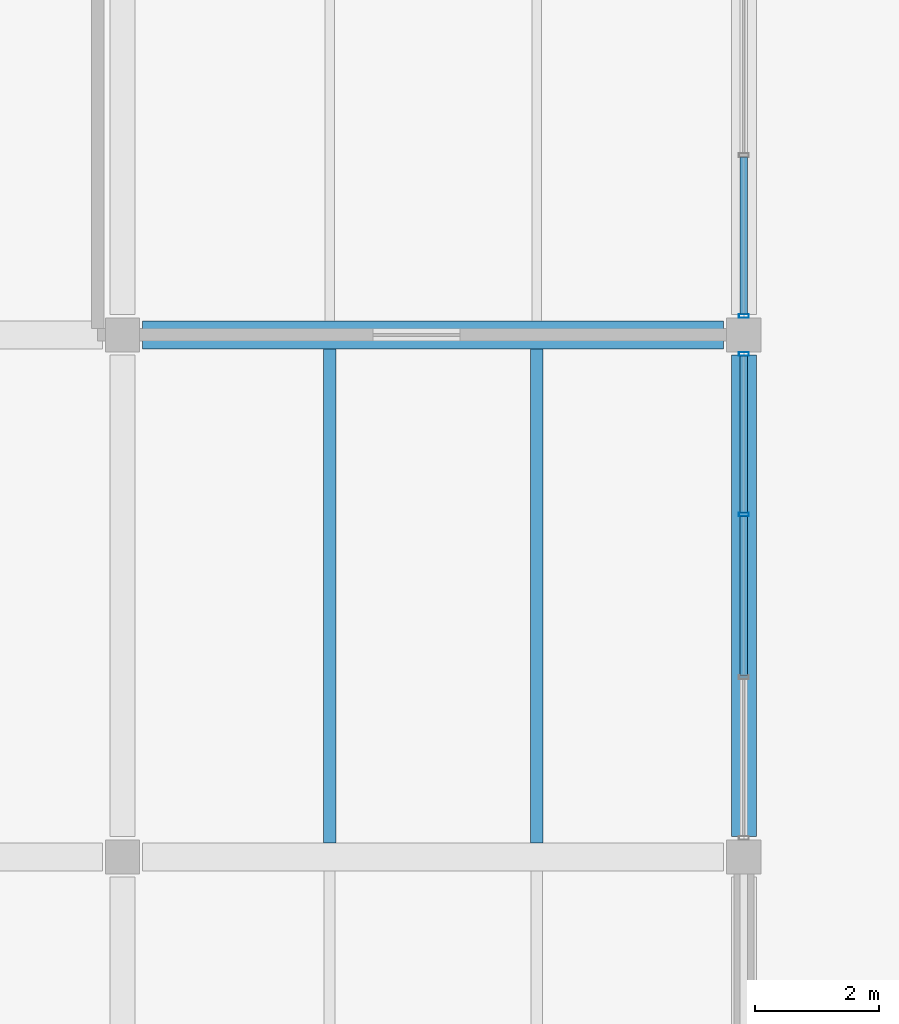
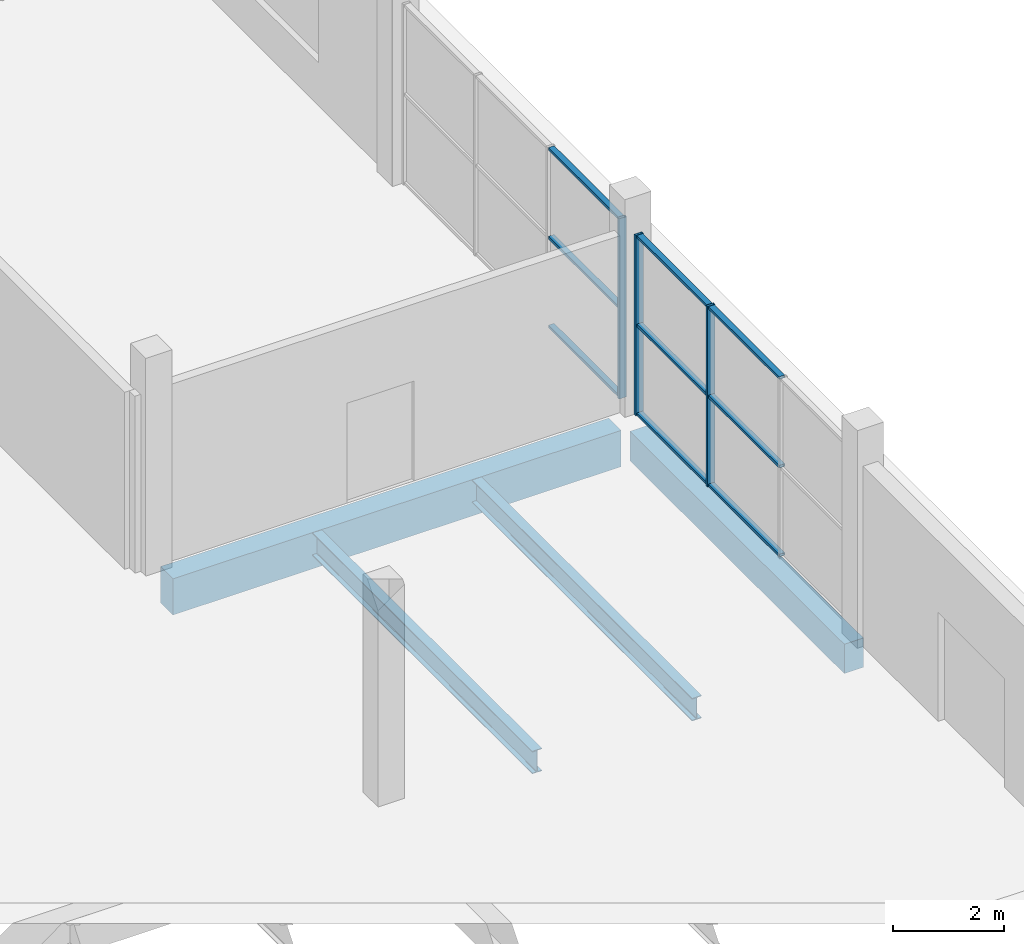
# One storey, part 79 of 130: 12 members, 4 beams, 2 elements without a shape of their own.
"""IFC4 building model written with IfcOpenShell, lengths in metres."""

from ifc_helpers import new_model, si_unit, direction, frame, origin, origin_2d, place, context, subcontext, project, spatial, rectangle, hollow_rectangle, i_section, extrude, material, material_profile, profile_set, type_object, element, aggregate, save


model = new_model("IFC4")

# Units and contexts
model_context = context("Model", 3, precision=1e-05, world=origin(), true_north=direction((0.0, 1.0)))
body_context = subcontext(model_context, "Body", "Model", "MODEL_VIEW")
ifc_project = project(units=[si_unit("LENGTHUNIT", "METRE"), si_unit("AREAUNIT", "SQUARE_METRE"), si_unit("VOLUMEUNIT", "CUBIC_METRE"), si_unit("PLANEANGLEUNIT", "RADIAN"), si_unit("MASSUNIT", "GRAM", prefix="KILO"), si_unit("THERMODYNAMICTEMPERATUREUNIT", "KELVIN")], contexts=[model_context])

# Site, building, storey
site_placement = place(None, origin())
site = spatial("IfcSite", under=ifc_project, at=site_placement, CompositionType="ELEMENT")
building_placement = place(site_placement, origin())
building = spatial("IfcBuilding", under=site, at=building_placement, Name="Nduvali Passage Aquatics Centre", CompositionType="ELEMENT")
storey_placement = place(building_placement, origin())
storey = spatial("IfcBuildingStorey", under=building, at=storey_placement, Name="L00", CompositionType="ELEMENT", Elevation=0.0)

# Curtain wall, members
ifc_material_1 = material(Name="Aluminium EN AW-6063 T6", Category="aluminium")
curtain_wall_type = type_object("IfcCurtainWallType", Name="ENV-CW-FOYR", PredefinedType="NOTDEFINED", material=ifc_material_1)
curtain_wall_1_placement = place(storey_placement, origin())
curtain_wall_1 = element("IfcCurtainWall", 1, at=curtain_wall_1_placement, inside=storey, type_object=curtain_wall_type, Name="L00 East Avenue Entrance Ground CW 087", PredefinedType="NOTDEFINED")
ifc_material_profile_1 = material_profile(ifc_material_1, hollow_rectangle(XDim=0.06005859375, YDim=0.159912109375, WallThickness=0.00390625, at=origin_2d()), Name="ALU MULLION 60x160x4")
ifc_profile_set_1 = profile_set([ifc_material_profile_1], Name="Aluminium EN AW-6063 T6")
member_type_1 = type_object("IfcMemberType", Name="ENV-MEM-MUL60", PredefinedType="MULLION", material=ifc_profile_set_1)
member_1_placement = place(storey_placement, frame((168.0, 72.708251953125, 0.0), z_axis=(0.0, 0.0, 1.0), x_axis=(0.0, 1.0, 0.0)))
member_1 = element("IfcMember", 2, at=member_1_placement, type_object=member_type_1, Name="East Avenue Entrance Ground CW Mullion 3", PredefinedType="MULLION", context=body_context, shape_type="SweptSolid", body=[
    extrude(hollow_rectangle(XDim=0.06005859375, YDim=0.159912109375, WallThickness=0.00390625, at=origin_2d()), origin(), (0.0, 0.0, 1.0), 3.976318359375),
])
member_2_placement = place(storey_placement, frame((168.0, 75.294921875, 0.0), z_axis=(0.0, 0.0, 1.0), x_axis=(0.0, 1.0, 0.0)))
member_2 = element("IfcMember", 3, at=member_2_placement, type_object=member_type_1, Name="East Avenue Entrance Ground CW Mullion 4", PredefinedType="MULLION", context=body_context, shape_type="SweptSolid", body=[
    extrude(hollow_rectangle(XDim=0.06005859375, YDim=0.159912109375, WallThickness=0.00390625, at=origin_2d()), origin(), (0.0, 0.0, 1.0), 3.976318359375),
])

# Curtain wall, member
curtain_wall_2_placement = place(storey_placement, origin())
curtain_wall_2 = element("IfcCurtainWall", 4, at=curtain_wall_2_placement, inside=storey, type_object=curtain_wall_type, Name="L00 East Avenue Entrance Ground CW 089", PredefinedType="NOTDEFINED")
member_3_placement = place(storey_placement, frame((168.0, 75.905029296875, 0.0), z_axis=(0.0, 0.0, 1.0), x_axis=(0.0, 1.0, 0.0)))
member_3 = element("IfcMember", 5, at=member_3_placement, type_object=member_type_1, Name="East Avenue Entrance Ground CW Mullion 1", PredefinedType="MULLION", context=body_context, shape_type="SweptSolid", body=[
    extrude(hollow_rectangle(XDim=0.06005859375, YDim=0.159912109375, WallThickness=0.00390625, at=origin_2d()), origin(), (0.0, 0.0, 1.0), 3.976318359375),
])

# Member
ifc_material_profile_2 = material_profile(ifc_material_1, hollow_rectangle(XDim=0.1201171875, YDim=0.06005859375, WallThickness=0.00390625, at=origin_2d()), Name="ALU TRANSOM 120x60x4")
ifc_profile_set_2 = profile_set([ifc_material_profile_2], Name="Aluminium EN AW-6063 T6")
member_type_2 = type_object("IfcMemberType", Name="ENV-MEM-TRN60", PredefinedType="USERDEFINED", material=ifc_profile_set_2)
member_4_placement = place(storey_placement, frame((168.0, 70.12158203125, 0.030029296875), z_axis=(0.0, 1.0, 0.0), x_axis=(-1.0, 0.0, 0.0)))
member_4 = element("IfcMember", 6, at=member_4_placement, type_object=member_type_2, Name="East Avenue Entrance Ground CW Transom B2-R0", ObjectType="TRANSOM", PredefinedType="USERDEFINED", context=body_context, shape_type="SweptSolid", body=[
    extrude(hollow_rectangle(XDim=0.1201171875, YDim=0.06005859375, WallThickness=0.00390625, at=origin_2d()), origin(), (0.0, 0.0, 1.0), 2.556640625),
])

member_5_placement = place(storey_placement, frame((168.0, 70.12158203125, 1.98828125), z_axis=(0.0, 1.0, 0.0), x_axis=(-1.0, 0.0, 0.0)))
member_5 = element("IfcMember", 7, at=member_5_placement, type_object=member_type_2, Name="East Avenue Entrance Ground CW Transom B2-R1", ObjectType="TRANSOM", PredefinedType="USERDEFINED", context=body_context, shape_type="SweptSolid", body=[
    extrude(hollow_rectangle(XDim=0.1201171875, YDim=0.06005859375, WallThickness=0.00390625, at=origin_2d()), origin(), (0.0, 0.0, 1.0), 2.556640625),
])

member_6_placement = place(storey_placement, frame((168.0, 70.12158203125, 3.9462890625), z_axis=(0.0, 1.0, 0.0), x_axis=(-1.0, 0.0, 0.0)))
member_6 = element("IfcMember", 8, at=member_6_placement, type_object=member_type_2, Name="East Avenue Entrance Ground CW Transom B2-R2", ObjectType="TRANSOM", PredefinedType="USERDEFINED", context=body_context, shape_type="SweptSolid", body=[
    extrude(hollow_rectangle(XDim=0.1201171875, YDim=0.06005859375, WallThickness=0.00390625, at=origin_2d()), origin(), (0.0, 0.0, 1.0), 2.556640625),
])

member_7_placement = place(storey_placement, frame((168.0, 72.73828125, 0.030029296875), z_axis=(0.0, 1.0, 0.0), x_axis=(-1.0, 0.0, 0.0)))
member_7 = element("IfcMember", 9, at=member_7_placement, type_object=member_type_2, Name="East Avenue Entrance Ground CW Transom B3-R0", ObjectType="TRANSOM", PredefinedType="USERDEFINED", context=body_context, shape_type="SweptSolid", body=[
    extrude(hollow_rectangle(XDim=0.1201171875, YDim=0.06005859375, WallThickness=0.00390625, at=origin_2d()), origin(), (0.0, 0.0, 1.0), 2.526611328125),
])

member_8_placement = place(storey_placement, frame((168.0, 72.73828125, 1.98828125), z_axis=(0.0, 1.0, 0.0), x_axis=(-1.0, 0.0, 0.0)))
member_8 = element("IfcMember", 10, at=member_8_placement, type_object=member_type_2, Name="East Avenue Entrance Ground CW Transom B3-R1", ObjectType="TRANSOM", PredefinedType="USERDEFINED", context=body_context, shape_type="SweptSolid", body=[
    extrude(hollow_rectangle(XDim=0.1201171875, YDim=0.06005859375, WallThickness=0.00390625, at=origin_2d()), origin(), (0.0, 0.0, 1.0), 2.526611328125),
])

member_9_placement = place(storey_placement, frame((168.0, 72.73828125, 3.9462890625), z_axis=(0.0, 1.0, 0.0), x_axis=(-1.0, 0.0, 0.0)))
member_9 = element("IfcMember", 11, at=member_9_placement, type_object=member_type_2, Name="East Avenue Entrance Ground CW Transom B3-R2", ObjectType="TRANSOM", PredefinedType="USERDEFINED", context=body_context, shape_type="SweptSolid", body=[
    extrude(hollow_rectangle(XDim=0.1201171875, YDim=0.06005859375, WallThickness=0.00390625, at=origin_2d()), origin(), (0.0, 0.0, 1.0), 2.526611328125),
])

aggregate(curtain_wall_1, [member_1, member_2, member_4, member_5, member_6, member_7, member_8, member_9])

member_10_placement = place(storey_placement, frame((168.0, 75.93505859375, 0.030029296875), z_axis=(0.0, 1.0, 0.0), x_axis=(-1.0, 0.0, 0.0)))
member_10 = element("IfcMember", 12, at=member_10_placement, type_object=member_type_2, Name="East Avenue Entrance Ground CW Transom B1-R0", ObjectType="TRANSOM", PredefinedType="USERDEFINED", context=body_context, shape_type="SweptSolid", body=[
    extrude(hollow_rectangle(XDim=0.1201171875, YDim=0.06005859375, WallThickness=0.00390625, at=origin_2d()), origin(), (0.0, 0.0, 1.0), 2.526611328125),
])

member_11_placement = place(storey_placement, frame((168.0, 75.93505859375, 1.98828125), z_axis=(0.0, 1.0, 0.0), x_axis=(-1.0, 0.0, 0.0)))
member_11 = element("IfcMember", 13, at=member_11_placement, type_object=member_type_2, Name="East Avenue Entrance Ground CW Transom B1-R1", ObjectType="TRANSOM", PredefinedType="USERDEFINED", context=body_context, shape_type="SweptSolid", body=[
    extrude(hollow_rectangle(XDim=0.1201171875, YDim=0.06005859375, WallThickness=0.00390625, at=origin_2d()), origin(), (0.0, 0.0, 1.0), 2.526611328125),
])

member_12_placement = place(storey_placement, frame((168.0, 75.93505859375, 3.9462890625), z_axis=(0.0, 1.0, 0.0), x_axis=(-1.0, 0.0, 0.0)))
member_12 = element("IfcMember", 14, at=member_12_placement, type_object=member_type_2, Name="East Avenue Entrance Ground CW Transom B1-R2", ObjectType="TRANSOM", PredefinedType="USERDEFINED", context=body_context, shape_type="SweptSolid", body=[
    extrude(hollow_rectangle(XDim=0.1201171875, YDim=0.06005859375, WallThickness=0.00390625, at=origin_2d()), origin(), (0.0, 0.0, 1.0), 2.526611328125),
])

aggregate(curtain_wall_2, [member_3, member_10, member_11, member_12])

# Beams
ifc_material_2 = material(Name="Concrete C40/50", Category="concrete")
ifc_material_profile_3 = material_profile(ifc_material_2, rectangle(XDim=0.449951171875, YDim=0.800048828125, at=origin_2d()), Name="RC 450x800")
ifc_profile_set_3 = profile_set([ifc_material_profile_3], Name="Concrete C40/50")
beam_type_1 = type_object("IfcBeamType", Name="STR-BM-RC4580", PredefinedType="BEAM", material=ifc_profile_set_3)
beam_1_placement = place(storey_placement, frame((158.324951171875, 75.60009765625, -0.699951171875), z_axis=(1.0, 0.0, 0.0), x_axis=(0.0, 1.0, 0.0)))
element("IfcBeam", 15, at=beam_1_placement, inside=storey, type_object=beam_type_1, Name="L00 Primary X-Girder B2A-0071", PredefinedType="BEAM", context=body_context, shape_type="SweptSolid", body=[
    extrude(rectangle(XDim=0.449951171875, YDim=0.800048828125, at=origin_2d()), origin(), (0.0, 0.0, 1.0), 9.35009765625),
])
ifc_material_3 = material(Name="Steel S355", Category="steel")
ifc_material_profile_4 = material_profile(ifc_material_3, i_section(OverallWidth=0.199951171875, OverallDepth=0.5, WebThickness=0.01025390625, FlangeThickness=0.01611328125, FilletRadius=0.02099609375, at=origin_2d()), Name="IPE 500")
ifc_profile_set_4 = profile_set([ifc_material_profile_4], Name="Steel S355")
beam_type_2 = type_object("IfcBeamType", Name="STR-JST-IPE500", PredefinedType="JOIST", material=ifc_profile_set_4)
for number, where, z_axis, x_axis, name in (
    (16, (161.333251953125, 67.425048828125, -0.553955078125), (0.0, 1.0, 0.0), (-1.0, 0.0, 0.0), "L00 Secondary Joist J5A-0357"),
    (17, (164.666748046875, 67.425048828125, -0.553955078125), (0.0, 1.0, 0.0), (-1.0, 0.0, 0.0), "L00 Secondary Joist J5A-0358"),
):
    element("IfcBeam", number, at=place(storey_placement, frame(where, z_axis=z_axis, x_axis=x_axis)), inside=storey, type_object=beam_type_2, Name=name, PredefinedType="JOIST", context=body_context, shape_type="SweptSolid", body=[
        extrude(i_section(OverallWidth=0.199951171875, OverallDepth=0.5, WebThickness=0.01025390625, FlangeThickness=0.01611328125, FilletRadius=0.02099609375, at=origin_2d()), origin(), (0.0, 0.0, 1.0), 7.949951171875),
    ])
ifc_material_profile_5 = material_profile(ifc_material_2, rectangle(XDim=0.39990234375, YDim=0.64990234375, at=origin_2d()), Name="RC 400x650")
ifc_profile_set_5 = profile_set([ifc_material_profile_5], Name="Concrete C40/50")
beam_type_3 = type_object("IfcBeamType", Name="STR-SPN-RC4065-EXT", PredefinedType="SPANDREL", material=ifc_profile_set_5)
beam_2_placement = place(storey_placement, frame((168.0, 67.52490234375, -0.625), z_axis=(0.0, 1.0, 0.0), x_axis=(-1.0, 0.0, 0.0)))
element("IfcBeam", 18, at=beam_2_placement, inside=storey, type_object=beam_type_3, Name="L00 Primary Y-Girder SP1E-0252", PredefinedType="SPANDREL", context=body_context, shape_type="SweptSolid", body=[
    extrude(rectangle(XDim=0.39990234375, YDim=0.64990234375, at=origin_2d()), origin(), (0.0, 0.0, 1.0), 7.75),
])

save(model, "model.ifc")
